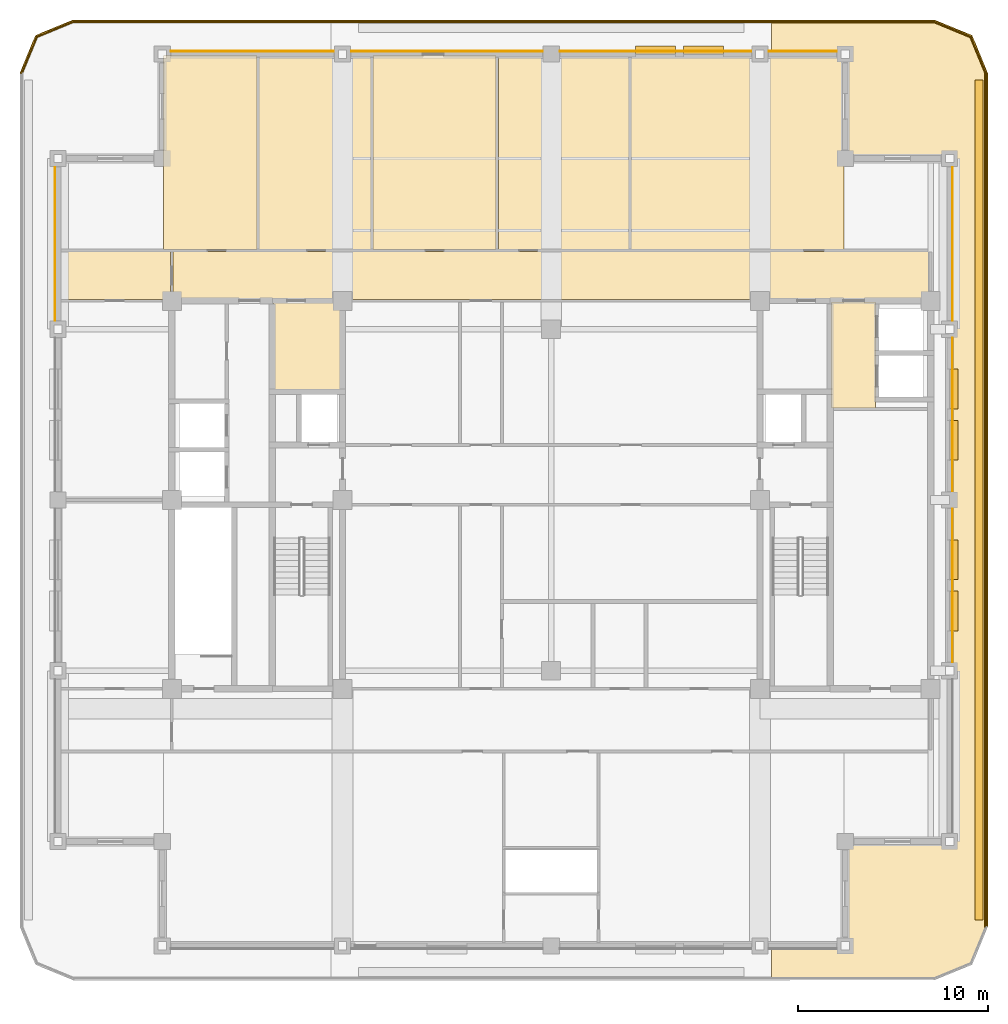
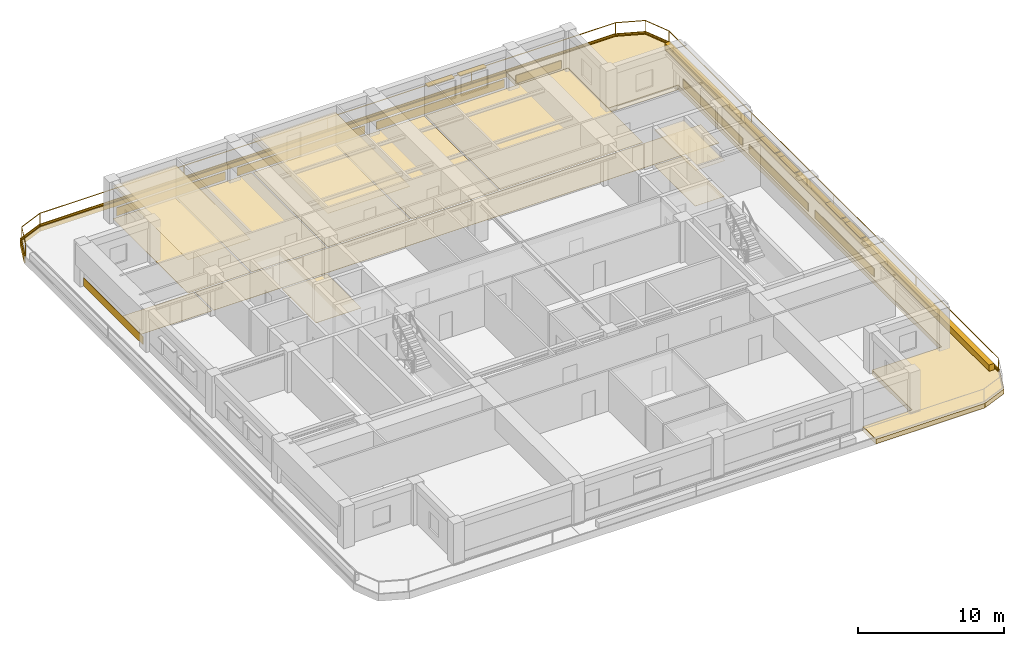
# One storey, part 11 of 11: 28 coverings, 6 shading devices, 2 railings.
"""IFC4 building model written with IfcOpenShell, lengths in metres."""

from ifc_helpers import new_model, si_unit, direction, frame, frame_2d, origin, origin_2d, place, context, subcontext, project, spatial, polyline, rectangle, outline, extrude, material, layer, layer_set, type_object, element, save


model = new_model("IFC4")

# Units and contexts
model_context = context("Model", 3, precision=1e-05, world=origin(), true_north=direction((0.0, 1.0)))
body_context = subcontext(model_context, "Body", "Model", "MODEL_VIEW")
ifc_project = project(units=[si_unit("LENGTHUNIT", "METRE"), si_unit("AREAUNIT", "SQUARE_METRE"), si_unit("VOLUMEUNIT", "CUBIC_METRE"), si_unit("PLANEANGLEUNIT", "RADIAN"), si_unit("MASSUNIT", "GRAM", prefix="KILO")], contexts=[model_context])

# Site, building, storey
site_placement = place(None, origin())
site = spatial("IfcSite", under=ifc_project, at=site_placement, CompositionType="ELEMENT")
building_placement = place(site_placement, origin())
building = spatial("IfcBuilding", under=site, at=building_placement, Name="Zulmaris Gate Convention Tower", CompositionType="ELEMENT")
storey_placement = place(building_placement, frame((0.0, 0.0, 278.06005859375)))
storey = spatial("IfcBuildingStorey", under=building, at=storey_placement, Name="L74", CompositionType="ELEMENT", Elevation=278.06005859375)

# Coverings
ifc_material_1 = material(Name="Precast concrete C40/50", Category="concrete")
ifc_layer_1 = layer(ifc_material_1, 0.0400390625, Name="Precast concrete C40/50")
ifc_layer_set_1 = layer_set([ifc_layer_1], Name="Precast concrete C40/50")
covering_type_1 = type_object("IfcCoveringType", Name="CLAD-SPANDREL-PRECAST", PredefinedType="CLADDING", material=ifc_layer_set_1)
covering_1_placement = place(storey_placement, frame((-11.455078125, 23.64990234375, 0.0), z_axis=(0.0, 0.0, 1.0), x_axis=(-1.0, 0.0, 0.0)))
element("IfcCovering", 1, at=covering_1_placement, inside=storey, type_object=covering_type_1, Name="CLD-L74-N-0_0", PredefinedType="CLADDING", context=body_context, shape_type="SweptSolid", body=[
    extrude(rectangle(XDim=8.58984375, YDim=0.0400390625, at=frame_2d((4.294921875, 0.0))), origin(), (0.0, 0.0, 1.0), 0.679931640625),
])
for number, where, z_axis, x_axis, name in (
    (2, (-0.455078125, 23.64990234375, 0.0), (0.0, 0.0, 1.0), (-1.0, 0.0, 0.0), "CLD-L74-N-1_0"),
    (3, (10.544921875, 23.64990234375, 0.0), (0.0, 0.0, 1.0), (-1.0, 0.0, 0.0), "CLD-L74-N-2_0"),
):
    element("IfcCovering", number, at=place(storey_placement, frame(where, z_axis=z_axis, x_axis=x_axis)), inside=storey, type_object=covering_type_1, Name=name, PredefinedType="CLADDING", context=body_context, shape_type="SweptSolid", body=[
        extrude(rectangle(XDim=10.08984375, YDim=0.0400390625, at=frame_2d((5.044921875, 0.0))), origin(), (0.0, 0.0, 1.0), 0.679931640625),
    ])
covering_2_placement = place(storey_placement, frame((15.044921875, 23.64990234375, 0.0), z_axis=(0.0, 0.0, 1.0), x_axis=(-1.0, 0.0, 0.0)))
element("IfcCovering", 4, at=covering_2_placement, inside=storey, type_object=covering_type_1, Name="CLD-L74-N-3_0", PredefinedType="CLADDING", context=body_context, shape_type="SweptSolid", body=[
    extrude(rectangle(XDim=3.58984375, YDim=0.0400390625, at=frame_2d((1.794921875, 0.0))), origin(), (0.0, 0.0, 1.0), 0.679931640625),
])
for number, where, z_axis, x_axis, name in (
    (5, (21.14990234375, -8.544921875, 0.0), (0.0, 0.0, 1.0), (0.0, 1.0, 0.0), "CLD-L74-E-1_0"),
    (6, (21.14990234375, 0.455078125, 0.0), (0.0, 0.0, 1.0), (0.0, 1.0, 0.0), "CLD-L74-E-2_0"),
    (7, (21.14990234375, 9.455078125, 0.0), (0.0, 0.0, 1.0), (0.0, 1.0, 0.0), "CLD-L74-E-3_0"),
    (8, (-26.14990234375, 17.544921875, 0.0), (0.0, 0.0, 1.0), (0.0, -1.0, 0.0), "CLD-L74-W-3_0"),
):
    element("IfcCovering", number, at=place(storey_placement, frame(where, z_axis=z_axis, x_axis=x_axis)), inside=storey, type_object=covering_type_1, Name=name, PredefinedType="CLADDING", context=body_context, shape_type="SweptSolid", body=[
        extrude(rectangle(XDim=8.08984375, YDim=0.0400390625, at=frame_2d((4.044921875, 0.0))), origin(), (0.0, 0.0, 1.0), 0.679931640625),
    ])
ifc_material_2 = material(Name="White Glazed Architectural Precast Concrete C40/50", Category="concrete")
ifc_layer_2 = layer(ifc_material_2, 0.239990234375, Name="White Glazed Architectural Precast Concrete C40/50")
ifc_layer_set_2 = layer_set([ifc_layer_2], Name="White Glazed Architectural Precast Concrete C40/50")
covering_type_2 = type_object("IfcCoveringType", Name="CLAD-TRAY-DECK", PredefinedType="CLADDING", material=ifc_layer_set_2)
covering_3_placement = place(storey_placement, frame((0.0, 0.0, -0.425048828125)))
element("IfcCovering", 9, at=covering_3_placement, inside=storey, type_object=covering_type_2, Name="L74 East Rounded-Fascia Planter Tray Deck", PredefinedType="CLADDING", context=body_context, shape_type="SweptSolid", body=[
    extrude(outline(polyline([(20.199951171875, 25.300048828125), (22.179931640625, 24.47998046875), (23.0, 22.5), (23.0, -22.5), (22.179931640625, -24.47998046875), (20.199951171875, -25.300048828125), (11.60205078125, -25.300048828125), (11.60205078125, -23.5), (15.5, -23.5), (15.5, -18.0), (21.0, -18.0), (21.0, 18.0), (15.5, 18.0), (15.5, 23.5), (11.60205078125, 23.5), (11.60205078125, 25.300048828125), (20.199951171875, 25.300048828125)])), origin(), (0.0, 0.0, 1.0), 0.385009765625),
])
ifc_layer_3 = layer(ifc_material_2, 0.080078125, Name="White Glazed Architectural Precast Concrete C40/50")
ifc_layer_set_3 = layer_set([ifc_layer_3], Name="White Glazed Architectural Precast Concrete C40/50")
covering_type_3 = type_object("IfcCoveringType", Name="CLAD-TRAY-FASCIA", PredefinedType="CLADDING", material=ifc_layer_set_3)
covering_4_placement = place(storey_placement, frame((22.9599609375, -22.5, -0.46484375), z_axis=(0.0, 0.0, 1.0), x_axis=(0.0, 1.0, 0.0)))
element("IfcCovering", 10, at=covering_4_placement, inside=storey, type_object=covering_type_3, Name="FSC-L74-TR-05", PredefinedType="CLADDING", context=body_context, shape_type="SweptSolid", body=[
    extrude(rectangle(XDim=45.0, YDim=0.080078125, at=frame_2d((22.5, 0.0))), origin(), (0.0, 0.0, 1.0), 0.5849609375),
])
covering_5_placement = place(storey_placement, frame((22.962890625, 22.484619140625, -0.46484375), z_axis=(0.0, 0.0, 1.0), x_axis=(-0.382656984709, 0.923890487046, 0.0)))
element("IfcCovering", 11, at=covering_5_placement, inside=storey, type_object=covering_type_3, Name="FSC-L74-TR-06", PredefinedType="CLADDING", context=body_context, shape_type="SweptSolid", body=[
    extrude(rectangle(XDim=2.14306640625, YDim=0.080078125, at=frame_2d((1.071533203125, 0.0))), origin(), (0.0, 0.0, 1.0), 0.5849609375),
])
covering_6_placement = place(storey_placement, frame((22.16455078125, 24.44287109375, -0.46484375), z_axis=(0.0, 0.0, 1.0), x_axis=(-0.923873803533, 0.382697263049, 0.0)))
element("IfcCovering", 12, at=covering_6_placement, inside=storey, type_object=covering_type_3, Name="FSC-L74-TR-07", PredefinedType="CLADDING", context=body_context, shape_type="SweptSolid", body=[
    extrude(rectangle(XDim=2.142822265625, YDim=0.080078125, at=frame_2d((1.0712890625, 0.0))), origin(), (0.0, 0.0, 1.0), 0.5849609375),
])
covering_7_placement = place(storey_placement, frame((20.199951171875, 25.260009765625, -0.46484375), z_axis=(0.0, 0.0, 1.0), x_axis=(-1.0, 0.0, 0.0)))
element("IfcCovering", 13, at=covering_7_placement, inside=storey, type_object=covering_type_3, Name="FSC-L74-TR-08", PredefinedType="CLADDING", context=body_context, shape_type="SweptSolid", body=[
    extrude(rectangle(XDim=45.39990234375, YDim=0.080078125, at=frame_2d((22.699951171875, 0.0))), origin(), (0.0, 0.0, 1.0), 0.5849609375),
])
covering_8_placement = place(storey_placement, frame((-25.184814453125, 25.262939453125, -0.46484375), z_axis=(0.0, 0.0, 1.0), x_axis=(-0.923873803533, -0.382697263049, 0.0)))
element("IfcCovering", 14, at=covering_8_placement, inside=storey, type_object=covering_type_3, Name="FSC-L74-TR-09", PredefinedType="CLADDING", context=body_context, shape_type="SweptSolid", body=[
    extrude(rectangle(XDim=2.142822265625, YDim=0.080078125, at=frame_2d((1.0712890625, 0.0))), origin(), (0.0, 0.0, 1.0), 0.5849609375),
])
covering_9_placement = place(storey_placement, frame((-27.142822265625, 24.464599609375, -0.46484375), z_axis=(0.0, 0.0, 1.0), x_axis=(-0.382656984709, -0.923890487046, 0.0)))
element("IfcCovering", 15, at=covering_9_placement, inside=storey, type_object=covering_type_3, Name="FSC-L74-TR-10", PredefinedType="CLADDING", context=body_context, shape_type="SweptSolid", body=[
    extrude(rectangle(XDim=2.14306640625, YDim=0.080078125, at=frame_2d((1.071533203125, 0.0))), origin(), (0.0, 0.0, 1.0), 0.5849609375),
])
ifc_material_3 = material(Name="Mineral Fibre Acoustic Ceiling Tile")
ifc_layer_4 = layer(ifc_material_3, 0.02001953125, Name="Mineral Fibre Acoustic Ceiling Tile")
ifc_layer_set_4 = layer_set([ifc_layer_4], Name="Mineral Fibre Acoustic Ceiling Tile")
covering_type_4 = type_object("IfcCoveringType", Name="CLG-ACOUSTIC-600", PredefinedType="CEILING", material=ifc_layer_set_4)
covering_10_placement = place(storey_placement, frame((0.0, 0.0, 2.972900390625)))
element("IfcCovering", 16, at=covering_10_placement, inside=storey, type_object=covering_type_4, Name="CLG-L74-R21", PredefinedType="CEILING", context=body_context, shape_type="SweptSolid", body=[
    extrude(outline(polyline([(14.760009765625, 4.860107421875), (17.090087890625, 4.860107421875), (17.090087890625, 10.43994140625), (14.760009765625, 10.43994140625), (14.760009765625, 4.860107421875)])), origin(), (0.0, 0.0, 1.0), 0.02001953125),
])
covering_11_placement = place(storey_placement, frame((0.0, 0.0, 2.77490234375)))
element("IfcCovering", 17, at=covering_11_placement, inside=storey, type_object=covering_type_4, Name="CLG-L74-R30", PredefinedType="CEILING", context=body_context, shape_type="SweptSolid", body=[
    extrude(outline(polyline([(-20.43994140625, 13.2099609375), (-15.510009765625, 13.2099609375), (-15.510009765625, 23.43994140625), (-20.43994140625, 23.43994140625), (-20.43994140625, 13.2099609375)])), origin(), (0.0, 0.0, 1.0), 0.02001953125),
])
covering_12_placement = place(storey_placement, frame((0.0, 0.0, 2.77490234375)))
element("IfcCovering", 18, at=covering_12_placement, inside=storey, type_object=covering_type_4, Name="CLG-L74-R32", PredefinedType="CEILING", context=body_context, shape_type="SweptSolid", body=[
    extrude(outline(polyline([(-9.389892578125, 13.2099609375), (-2.909912109375, 13.2099609375), (-2.909912109375, 23.43994140625), (-9.389892578125, 23.43994140625), (-9.389892578125, 13.2099609375)])), origin(), (0.0, 0.0, 1.0), 0.02001953125),
])
ifc_material_4 = material(Name="Woven Acoustic Wool Carpet Tile")
ifc_layer_5 = layer(ifc_material_4, 0.02001953125, Name="Woven Acoustic Wool Carpet Tile")
ifc_layer_set_5 = layer_set([ifc_layer_5], Name="Woven Acoustic Wool Carpet Tile")
covering_type_5 = type_object("IfcCoveringType", Name="FLR-CARPET-12", PredefinedType="FLOORING", material=ifc_layer_set_5)
covering_13_placement = place(storey_placement, origin())
element("IfcCovering", 19, at=covering_13_placement, inside=storey, type_object=covering_type_5, Name="FLR-L74-R11", PredefinedType="FLOORING", context=body_context, shape_type="SweptSolid", body=[
    extrude(outline(polyline([(-14.639892578125, 5.760009765625), (-11.06005859375, 5.760009765625), (-11.06005859375, 10.43994140625), (-14.639892578125, 10.43994140625), (-14.639892578125, 5.760009765625)])), origin(), (0.0, 0.0, 1.0), 0.02001953125),
])
covering_14_placement = place(storey_placement, origin())
element("IfcCovering", 20, at=covering_14_placement, inside=storey, type_object=covering_type_5, Name="FLR-L74-R21", PredefinedType="FLOORING", context=body_context, shape_type="SweptSolid", body=[
    extrude(outline(polyline([(14.760009765625, 4.860107421875), (17.090087890625, 4.860107421875), (17.090087890625, 10.43994140625), (14.760009765625, 10.43994140625), (14.760009765625, 4.860107421875)])), origin(), (0.0, 0.0, 1.0), 0.02001953125),
])
covering_15_placement = place(storey_placement, origin())
element("IfcCovering", 21, at=covering_15_placement, inside=storey, type_object=covering_type_5, Name="FLR-L74-R25", PredefinedType="FLOORING", context=body_context, shape_type="SweptSolid", body=[
    extrude(outline(polyline([(-19.93994140625, 10.56005859375), (19.93994140625, 10.56005859375), (19.93994140625, 13.090087890625), (-19.93994140625, 13.090087890625), (-19.93994140625, 10.56005859375)])), origin(), (0.0, 0.0, 1.0), 0.02001953125),
])
covering_16_placement = place(storey_placement, origin())
element("IfcCovering", 22, at=covering_16_placement, inside=storey, type_object=covering_type_5, Name="FLR-L74-R30", PredefinedType="FLOORING", context=body_context, shape_type="SweptSolid", body=[
    extrude(outline(polyline([(-20.43994140625, 13.2099609375), (-15.510009765625, 13.2099609375), (-15.510009765625, 23.43994140625), (-20.43994140625, 23.43994140625), (-20.43994140625, 13.2099609375)])), origin(), (0.0, 0.0, 1.0), 0.02001953125),
])
covering_17_placement = place(storey_placement, origin())
element("IfcCovering", 23, at=covering_17_placement, inside=storey, type_object=covering_type_5, Name="FLR-L74-R31", PredefinedType="FLOORING", context=body_context, shape_type="SweptSolid", body=[
    extrude(outline(polyline([(-15.389892578125, 13.2099609375), (-9.510009765625, 13.2099609375), (-9.510009765625, 23.43994140625), (-15.389892578125, 23.43994140625), (-15.389892578125, 13.2099609375)])), origin(), (0.0, 0.0, 1.0), 0.02001953125),
])
covering_18_placement = place(storey_placement, origin())
element("IfcCovering", 24, at=covering_18_placement, inside=storey, type_object=covering_type_5, Name="FLR-L74-R32", PredefinedType="FLOORING", context=body_context, shape_type="SweptSolid", body=[
    extrude(outline(polyline([(-9.389892578125, 13.2099609375), (-2.909912109375, 13.2099609375), (-2.909912109375, 23.43994140625), (-9.389892578125, 23.43994140625), (-9.389892578125, 13.2099609375)])), origin(), (0.0, 0.0, 1.0), 0.02001953125),
])
covering_19_placement = place(storey_placement, origin())
element("IfcCovering", 25, at=covering_19_placement, inside=storey, type_object=covering_type_5, Name="FLR-L74-R33", PredefinedType="FLOORING", context=body_context, shape_type="SweptSolid", body=[
    extrude(outline(polyline([(-2.7900390625, 13.2099609375), (4.090087890625, 13.2099609375), (4.090087890625, 23.43994140625), (-2.7900390625, 23.43994140625), (-2.7900390625, 13.2099609375)])), origin(), (0.0, 0.0, 1.0), 0.02001953125),
])
covering_20_placement = place(storey_placement, origin())
element("IfcCovering", 26, at=covering_20_placement, inside=storey, type_object=covering_type_5, Name="FLR-L74-R34", PredefinedType="FLOORING", context=body_context, shape_type="SweptSolid", body=[
    extrude(outline(polyline([(4.2099609375, 13.2099609375), (15.43994140625, 13.2099609375), (15.43994140625, 23.43994140625), (4.2099609375, 23.43994140625), (4.2099609375, 13.2099609375)])), origin(), (0.0, 0.0, 1.0), 0.02001953125),
])
covering_21_placement = place(storey_placement, origin())
element("IfcCovering", 27, at=covering_21_placement, inside=storey, type_object=covering_type_5, Name="FLR-L74-R46", PredefinedType="FLOORING", context=body_context, shape_type="SweptSolid", body=[
    extrude(outline(polyline([(-25.93994140625, 10.56005859375), (-20.06005859375, 10.56005859375), (-20.06005859375, 13.090087890625), (-25.93994140625, 13.090087890625), (-25.93994140625, 10.56005859375)])), origin(), (0.0, 0.0, 1.0), 0.02001953125),
])
ifc_material_5 = material(Name="Botanical Green Glazed Precast Concrete C40/50", Category="concrete")
ifc_layer_6 = layer(ifc_material_5, 0.419921875, Name="Botanical Green Glazed Precast Concrete C40/50")
ifc_layer_set_6 = layer_set([ifc_layer_6], Name="Botanical Green Glazed Precast Concrete C40/50")
covering_type_6 = type_object("IfcCoveringType", Name="PLANTER-BOX-200", PredefinedType="CLADDING", material=ifc_layer_set_6)
covering_22_placement = place(storey_placement, frame((0.0, 0.0, -0.0400390625)))
element("IfcCovering", 28, at=covering_22_placement, inside=storey, type_object=covering_type_6, Name="L74 E Full-Length Balcony Tree Planter Trough", PredefinedType="CLADDING", context=body_context, shape_type="SweptSolid", body=[
    extrude(outline(polyline([(22.340087890625, -22.14990234375), (22.760009765625, -22.14990234375), (22.760009765625, 22.14990234375), (22.340087890625, 22.14990234375), (22.340087890625, -22.14990234375)])), origin(), (0.0, 0.0, 1.0), 0.52001953125),
])

# Railings
ifc_material_6 = material(Name="Laminated Glass and Stainless Steel", Category="steel")
railing_type = type_object("IfcRailingType", Name="RL-BALC-1150", PredefinedType="BALUSTRADE", material=ifc_material_6)
railing_1_placement = place(storey_placement, frame((22.8798828125, -22.5, -0.0400390625)))
element("IfcRailing", 29, at=railing_1_placement, inside=storey, type_object=railing_type, Name="RL-L74-BALC-E", PredefinedType="BALUSTRADE", context=body_context, shape_type="SweptSolid", body=[
    extrude(rectangle(XDim=0.048095703125, YDim=0.048095703125, at=origin_2d()), frame((0.0, 0.0, 1.1259765625), z_axis=(0.0, 1.0, 0.0), x_axis=(-1.0, 0.0, 0.0)), (0.0, 0.0, 1.0), 45.0),
    extrude(rectangle(XDim=0.048095703125, YDim=0.048095703125, at=origin_2d()), frame((0.0, 0.0, 0.02392578125), z_axis=(0.0, 1.0, 0.0), x_axis=(-1.0, 0.0, 0.0)), (0.0, 0.0, 1.0), 45.0),
    extrude(rectangle(XDim=0.0419921875, YDim=0.0419921875, at=origin_2d()), origin(), (0.0, 0.0, 1.0), 1.101806640625),
    extrude(rectangle(XDim=0.0419921875, YDim=0.0419921875, at=origin_2d()), frame((0.0, 11.25, 0.0)), (0.0, 0.0, 1.0), 1.101806640625),
    extrude(rectangle(XDim=0.0419921875, YDim=0.0419921875, at=origin_2d()), frame((0.0, 22.5, 0.0)), (0.0, 0.0, 1.0), 1.101806640625),
    extrude(rectangle(XDim=0.0419921875, YDim=0.0419921875, at=origin_2d()), frame((0.0, 33.75, 0.0)), (0.0, 0.0, 1.0), 1.101806640625),
    extrude(rectangle(XDim=0.0419921875, YDim=0.0419921875, at=origin_2d()), frame((0.0, 45.0, 0.0)), (0.0, 0.0, 1.0), 1.101806640625),
])
railing_2_placement = place(storey_placement, frame((22.8798828125, 22.5, -0.0400390625)))
element("IfcRailing", 30, at=railing_2_placement, inside=storey, type_object=railing_type, Name="RL-L74-BALC-N", PredefinedType="BALUSTRADE", context=body_context, shape_type="SweptSolid", body=[
    extrude(rectangle(XDim=0.048095703125, YDim=0.048095703125, at=origin_2d()), frame((0.0, 0.0, 1.1259765625), z_axis=(-0.382670664694, 0.92388482095, 0.0), x_axis=(-0.92388482095, -0.382670664694, 0.0)), (0.0, 0.0, 1.0), 2.051025390625),
    extrude(rectangle(XDim=0.048095703125, YDim=0.048095703125, at=origin_2d()), frame((0.0, 0.0, 0.02392578125), z_axis=(-0.382670664694, 0.92388482095, 0.0), x_axis=(-0.92388482095, -0.382670664694, 0.0)), (0.0, 0.0, 1.0), 2.051025390625),
    extrude(rectangle(XDim=0.048095703125, YDim=0.048095703125, at=origin_2d()), frame((-0.784912109375, 1.89501953125, 1.1259765625), z_axis=(-0.92388482095, 0.382670664694, 0.0), x_axis=(-0.382670664694, -0.92388482095, 0.0)), (0.0, 0.0, 1.0), 2.051025390625),
    extrude(rectangle(XDim=0.048095703125, YDim=0.048095703125, at=origin_2d()), frame((-0.784912109375, 1.89501953125, 0.02392578125), z_axis=(-0.92388482095, 0.382670664694, 0.0), x_axis=(-0.382670664694, -0.92388482095, 0.0)), (0.0, 0.0, 1.0), 2.051025390625),
    extrude(rectangle(XDim=0.048095703125, YDim=0.048095703125, at=origin_2d()), frame((-2.679931640625, 2.679931640625, 1.1259765625), z_axis=(-1.0, 0.0, 0.0), x_axis=(0.0, -1.0, 0.0)), (0.0, 0.0, 1.0), 45.39990234375),
    extrude(rectangle(XDim=0.048095703125, YDim=0.048095703125, at=origin_2d()), frame((-2.679931640625, 2.679931640625, 0.02392578125), z_axis=(-1.0, 0.0, 0.0), x_axis=(0.0, -1.0, 0.0)), (0.0, 0.0, 1.0), 45.39990234375),
    extrude(rectangle(XDim=0.048095703125, YDim=0.048095703125, at=origin_2d()), frame((-48.079833984375, 2.679931640625, 1.1259765625), z_axis=(-0.92388482095, -0.382670664694, 0.0), x_axis=(0.382670664694, -0.92388482095, 0.0)), (0.0, 0.0, 1.0), 2.051025390625),
    extrude(rectangle(XDim=0.048095703125, YDim=0.048095703125, at=origin_2d()), frame((-48.079833984375, 2.679931640625, 0.02392578125), z_axis=(-0.92388482095, -0.382670664694, 0.0), x_axis=(0.382670664694, -0.92388482095, 0.0)), (0.0, 0.0, 1.0), 2.051025390625),
    extrude(rectangle(XDim=0.048095703125, YDim=0.048095703125, at=origin_2d()), frame((-49.974853515625, 1.89501953125, 1.1259765625), z_axis=(-0.382670664694, -0.92388482095, 0.0), x_axis=(0.92388482095, -0.382670664694, 0.0)), (0.0, 0.0, 1.0), 2.051025390625),
    extrude(rectangle(XDim=0.048095703125, YDim=0.048095703125, at=origin_2d()), frame((-49.974853515625, 1.89501953125, 0.02392578125), z_axis=(-0.382670664694, -0.92388482095, 0.0), x_axis=(0.92388482095, -0.382670664694, 0.0)), (0.0, 0.0, 1.0), 2.051025390625),
    extrude(rectangle(XDim=0.0419921875, YDim=0.0419921875, at=origin_2d()), origin(), (0.0, 0.0, 1.0), 1.101806640625),
    extrude(rectangle(XDim=0.0419921875, YDim=0.0419921875, at=origin_2d()), frame((-0.784912109375, 1.89501953125, 0.0)), (0.0, 0.0, 1.0), 1.101806640625),
    extrude(rectangle(XDim=0.0419921875, YDim=0.0419921875, at=origin_2d()), frame((-2.679931640625, 2.679931640625, 0.0)), (0.0, 0.0, 1.0), 1.101806640625),
    extrude(rectangle(XDim=0.0419921875, YDim=0.0419921875, at=origin_2d()), frame((-14.02978515625, 2.679931640625, 0.0)), (0.0, 0.0, 1.0), 1.101806640625),
    extrude(rectangle(XDim=0.0419921875, YDim=0.0419921875, at=origin_2d()), frame((-25.3798828125, 2.679931640625, 0.0)), (0.0, 0.0, 1.0), 1.101806640625),
    extrude(rectangle(XDim=0.0419921875, YDim=0.0419921875, at=origin_2d()), frame((-36.72998046875, 2.679931640625, 0.0)), (0.0, 0.0, 1.0), 1.101806640625),
    extrude(rectangle(XDim=0.0419921875, YDim=0.0419921875, at=origin_2d()), frame((-48.079833984375, 2.679931640625, 0.0)), (0.0, 0.0, 1.0), 1.101806640625),
    extrude(rectangle(XDim=0.0419921875, YDim=0.0419921875, at=origin_2d()), frame((-49.974853515625, 1.89501953125, 0.0)), (0.0, 0.0, 1.0), 1.101806640625),
    extrude(rectangle(XDim=0.0419921875, YDim=0.0419921875, at=origin_2d()), frame((-50.759765625, 0.0, 0.0)), (0.0, 0.0, 1.0), 1.101806640625),
])

# Shading devices
ifc_material_7 = material(Name="Glazed Ceramic Terracotta", Category="masonry")
ifc_layer_7 = layer(ifc_material_7, 0.070068359375, Name="Glazed Ceramic Terracotta")
ifc_layer_set_7 = layer_set([ifc_layer_7], Name="Glazed Ceramic Terracotta")
shading_device_type = type_object("IfcShadingDeviceType", Name="SHD-SUNSHADE-TC", PredefinedType="AWNING", material=ifc_layer_set_7)
for number, where, z_axis, x_axis, name in (
    (31, (9.072998046875, 23.719970703125, 2.22998046875), (0.0, 0.0, 1.0), (-1.0, 0.0, 0.0), "SHD-EW-L74-N-2_0-1"),
    (32, (6.550048828125, 23.719970703125, 2.22998046875), (0.0, 0.0, 1.0), (-1.0, 0.0, 0.0), "SHD-EW-L74-N-2_0-2"),
):
    element("IfcShadingDevice", number, at=place(storey_placement, frame(where, z_axis=z_axis, x_axis=x_axis)), inside=storey, type_object=shading_device_type, Name=name, PredefinedType="AWNING", context=body_context, shape_type="SweptSolid", body=[
        extrude(rectangle(XDim=2.10009765625, YDim=0.43994140625, at=frame_2d((1.050048828125, 0.0))), origin(), (0.0, 0.0, 1.0), 0.070068359375),
    ])
for number, where, z_axis, x_axis, name in (
    (33, (21.219970703125, -6.89794921875, 2.22998046875), (0.0, 0.0, 1.0), (0.0, 1.0, 0.0), "SHD-EW-L74-E-1_0-1"),
    (34, (21.219970703125, -4.201904296875, 2.22998046875), (0.0, 0.0, 1.0), (0.0, 1.0, 0.0), "SHD-EW-L74-E-1_0-2"),
    (35, (21.219970703125, 2.10205078125, 2.22998046875), (0.0, 0.0, 1.0), (0.0, 1.0, 0.0), "SHD-EW-L74-E-2_0-1"),
    (36, (21.219970703125, 4.798095703125, 2.22998046875), (0.0, 0.0, 1.0), (0.0, 1.0, 0.0), "SHD-EW-L74-E-2_0-2"),
):
    element("IfcShadingDevice", number, at=place(storey_placement, frame(where, z_axis=z_axis, x_axis=x_axis)), inside=storey, type_object=shading_device_type, Name=name, PredefinedType="AWNING", context=body_context, shape_type="SweptSolid", body=[
        extrude(rectangle(XDim=2.099853515625, YDim=0.43994140625, at=frame_2d((1.0498046875, 0.0))), origin(), (0.0, 0.0, 1.0), 0.070068359375),
    ])

save(model, "model.ifc")
